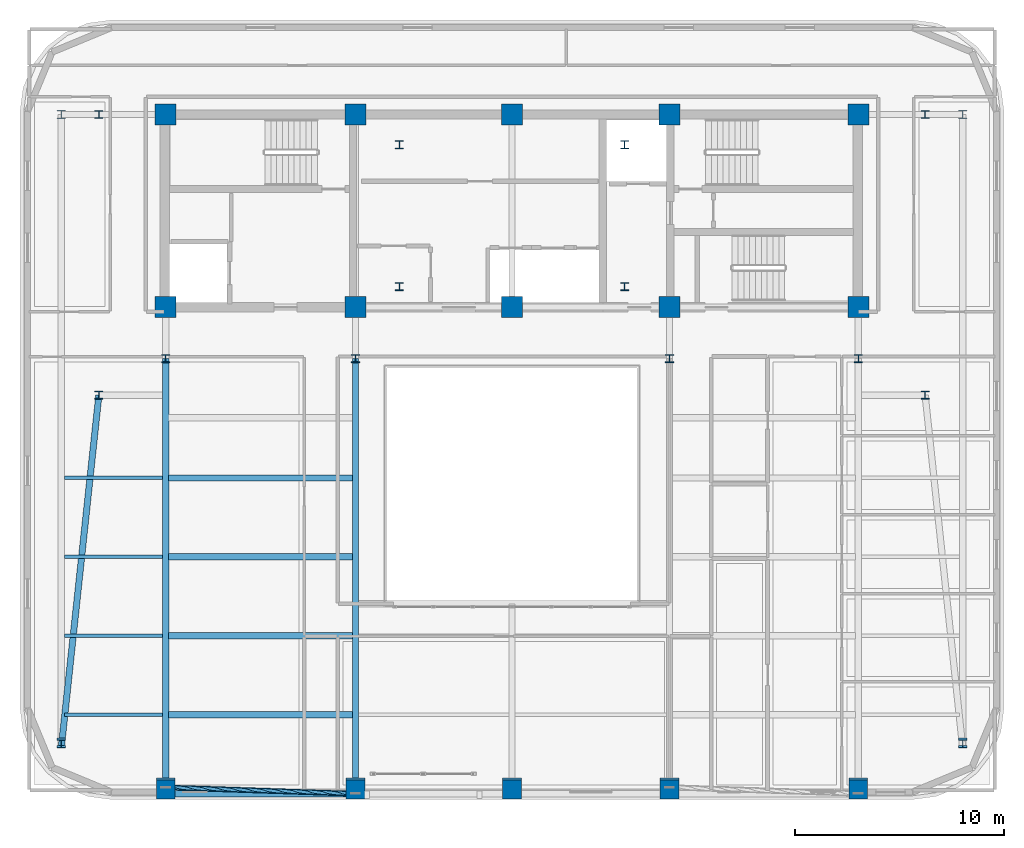
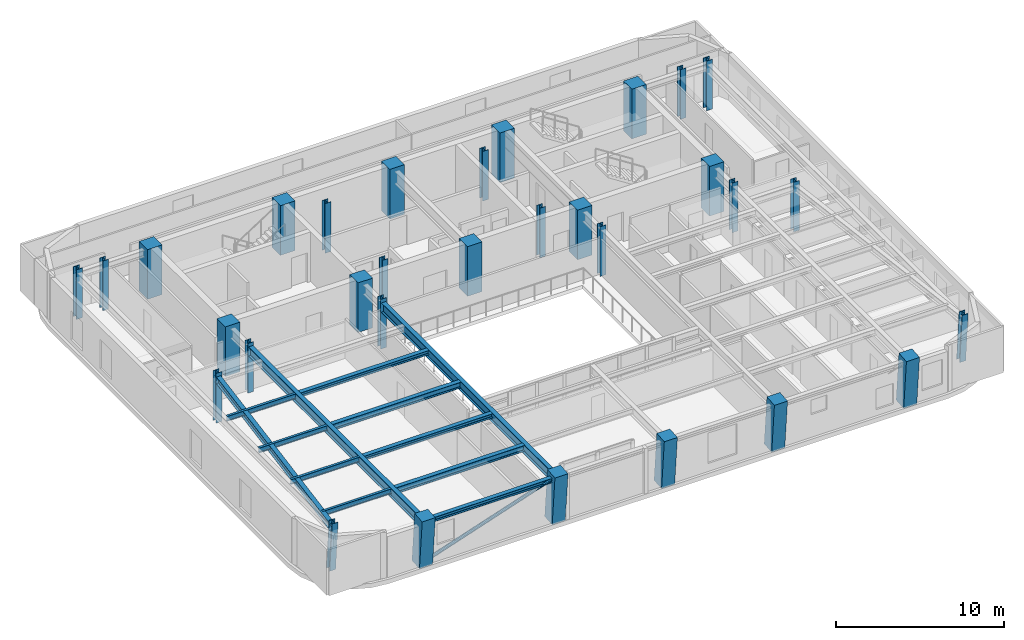
# One storey, part 1 of 13: 31 columns, 12 beams, 1 member.
"""IFC4 building model written with IfcOpenShell, lengths in metres."""

from ifc_helpers import new_model, si_unit, direction, frame, origin, origin_2d, place, context, subcontext, project, spatial, rectangle, hollow_circle, i_section, extrude, material, material_profile, profile_set, type_object, element, save


model = new_model("IFC4")

# Units and contexts
model_context = context("Model", 3, precision=1e-05, world=origin(), true_north=direction((0.0, 1.0)))
body_context = subcontext(model_context, "Body", "Model", "MODEL_VIEW")
ifc_project = project(units=[si_unit("LENGTHUNIT", "METRE"), si_unit("AREAUNIT", "SQUARE_METRE"), si_unit("VOLUMEUNIT", "CUBIC_METRE"), si_unit("PLANEANGLEUNIT", "RADIAN"), si_unit("MASSUNIT", "GRAM", prefix="KILO")], contexts=[model_context])

# Site, building, storey
site_placement = place(None, origin())
site = spatial("IfcSite", under=ifc_project, at=site_placement, CompositionType="ELEMENT")
building_placement = place(site_placement, origin())
building = spatial("IfcBuilding", under=site, at=building_placement, Name="Zarnavel Station Tower", CompositionType="ELEMENT")
storey_placement = place(building_placement, frame((0.0, 0.0, 236.39990234375)))
storey = spatial("IfcBuildingStorey", under=building, at=storey_placement, Name="L64", CompositionType="ELEMENT", Elevation=236.39990234375)

# Columns
ifc_material_1 = material(Name="Steel S355J2", Category="steel")
ifc_material_profile_1 = material_profile(ifc_material_1, i_section(OverallWidth=0.407958984375, OverallDepth=0.39990234375, WebThickness=0.02490234375, FlangeThickness=0.0390625, FilletRadius=0.014892578125, at=origin_2d()), Name="HD400x287")
ifc_profile_set_1 = profile_set([ifc_material_profile_1], Name="Steel S355J2")
column_type_1 = type_object("IfcColumnType", Name="EC_HD287", PredefinedType="COLUMN", material=ifc_profile_set_1)
column_1_placement = place(storey_placement, frame((7.199951171875, 6.97705078125, 0.0), z_axis=(0.0, -0.079901051777, 0.996802799918), x_axis=(1.0, 0.0, 0.0)))
element("IfcColumn", 1, at=column_1_placement, inside=storey, type_object=column_type_1, Name="L64 Raked Wing Column 1", PredefinedType="COLUMN", context=body_context, shape_type="SweptSolid", body=[
    extrude(i_section(OverallWidth=0.407958984375, OverallDepth=0.39990234375, WebThickness=0.02490234375, FlangeThickness=0.0390625, FilletRadius=0.014892578125, at=origin_2d()), origin(), (0.0, 0.0, 1.0), 3.611572265625),
])
column_2_placement = place(storey_placement, frame((7.199951171875, 37.050048828125, 0.0), z_axis=(0.0, 0.0, 1.0), x_axis=(1.0, 0.0, 0.0)))
element("IfcColumn", 2, at=column_2_placement, inside=storey, type_object=column_type_1, Name="L64 Outer Wing North Column 1", PredefinedType="COLUMN", context=body_context, shape_type="SweptSolid", body=[
    extrude(i_section(OverallWidth=0.407958984375, OverallDepth=0.39990234375, WebThickness=0.02490234375, FlangeThickness=0.0390625, FilletRadius=0.014892578125, at=origin_2d()), origin(), (0.0, 0.0, 1.0), 3.60009765625),
])
column_3_placement = place(storey_placement, frame((50.39990234375, 6.97705078125, 0.0), z_axis=(0.0, -0.079901051777, 0.996802799918), x_axis=(1.0, 0.0, 0.0)))
element("IfcColumn", 3, at=column_3_placement, inside=storey, type_object=column_type_1, Name="L64 Raked Wing Column 2", PredefinedType="COLUMN", context=body_context, shape_type="SweptSolid", body=[
    extrude(i_section(OverallWidth=0.407958984375, OverallDepth=0.39990234375, WebThickness=0.02490234375, FlangeThickness=0.0390625, FilletRadius=0.014892578125, at=origin_2d()), origin(), (0.0, 0.0, 1.0), 3.611572265625),
])
column_4_placement = place(storey_placement, frame((50.39990234375, 37.050048828125, 0.0), z_axis=(0.0, 0.0, 1.0), x_axis=(1.0, 0.0, 0.0)))
element("IfcColumn", 4, at=column_4_placement, inside=storey, type_object=column_type_1, Name="L64 Outer Wing North Column 2", PredefinedType="COLUMN", context=body_context, shape_type="SweptSolid", body=[
    extrude(i_section(OverallWidth=0.407958984375, OverallDepth=0.39990234375, WebThickness=0.02490234375, FlangeThickness=0.0390625, FilletRadius=0.014892578125, at=origin_2d()), origin(), (0.0, 0.0, 1.0), 3.60009765625),
])
ifc_material_2 = material(Name="Steel S355J2", Category="steel")
ifc_material_profile_2 = material_profile(ifc_material_2, i_section(OverallWidth=0.39501953125, OverallDepth=0.3798828125, WebThickness=0.018798828125, FlangeThickness=0.0302734375, FilletRadius=0.014892578125, at=origin_2d()), Name="HD400x237")
ifc_profile_set_2 = profile_set([ifc_material_profile_2], Name="Steel S355J2")
column_type_2 = type_object("IfcColumnType", Name="IC_HD237", PredefinedType="COLUMN", material=ifc_profile_set_2)
for number, where, z_axis, x_axis, name in (
    (5, (23.39990234375, 28.800048828125, 0.0), (0.0, 0.0, 1.0), (1.0, 0.0, 0.0), "L64 Mast Spine Column 1"),
    (6, (34.199951171875, 28.800048828125, 0.0), (0.0, 0.0, 1.0), (1.0, 0.0, 0.0), "L64 Mast Spine Column 2"),
    (7, (34.199951171875, 35.60009765625, 0.0), (0.0, 0.0, 1.0), (1.0, 0.0, 0.0), "L64 Mast Spine Column 3"),
    (8, (23.39990234375, 35.60009765625, 0.0), (0.0, 0.0, 1.0), (1.0, 0.0, 0.0), "L64 Mast Spine Column 4"),
    (9, (12.199951171875, 25.35009765625, 0.0), (0.0, 0.0, 1.0), (1.0, 0.0, 0.0), "L64 Inner Spine Column 1"),
    (10, (21.300048828125, 25.35009765625, 0.0), (0.0, 0.0, 1.0), (1.0, 0.0, 0.0), "L64 Inner Spine Column 2"),
    (11, (36.35009765625, 25.35009765625, 0.0), (0.0, 0.0, 1.0), (1.0, 0.0, 0.0), "L64 Inner Spine Column 4"),
    (12, (45.39990234375, 25.35009765625, 0.0), (0.0, 0.0, 1.0), (1.0, 0.0, 0.0), "L64 Inner Spine Column 5"),
    (13, (9.0, 23.60009765625, 0.0), (0.0, 0.0, 1.0), (1.0, 0.0, 0.0), "L64 Inner Wing Spine Column 1-1"),
    (14, (9.0, 37.050048828125, 0.0), (0.0, 0.0, 1.0), (1.0, 0.0, 0.0), "L64 Inner Wing Spine Column 1-2"),
    (15, (48.60009765625, 23.60009765625, 0.0), (0.0, 0.0, 1.0), (1.0, 0.0, 0.0), "L64 Inner Wing Spine Column 2-1"),
    (16, (48.60009765625, 37.050048828125, 0.0), (0.0, 0.0, 1.0), (1.0, 0.0, 0.0), "L64 Inner Wing Spine Column 2-2"),
):
    element("IfcColumn", number, at=place(storey_placement, frame(where, z_axis=z_axis, x_axis=x_axis)), inside=storey, type_object=column_type_2, Name=name, PredefinedType="COLUMN", context=body_context, shape_type="SweptSolid", body=[
        extrude(i_section(OverallWidth=0.39501953125, OverallDepth=0.3798828125, WebThickness=0.018798828125, FlangeThickness=0.0302734375, FilletRadius=0.014892578125, at=origin_2d()), origin(), (0.0, 0.0, 1.0), 3.60009765625),
    ])
ifc_material_3 = material(Name="Concrete C50/60", Category="concrete")
ifc_material_profile_3 = material_profile(ifc_material_3, rectangle(XDim=1.0, YDim=1.0, at=origin_2d()), Name="RC1000x1000")
ifc_profile_set_3 = profile_set([ifc_material_profile_3], Name="Concrete C50/60")
column_type_3 = type_object("IfcColumnType", Name="IC_RC1000", PredefinedType="COLUMN", material=ifc_profile_set_3)
for number, where, z_axis, x_axis, name in (
    (17, (12.199951171875, 27.820068359375, 0.0), (0.0, 0.0, 1.0), (1.0, 0.0, 0.0), "L64 Core Spine Column 1-1"),
    (18, (12.199951171875, 37.050048828125, 0.0), (0.0, 0.0, 1.0), (1.0, 0.0, 0.0), "L64 Core Spine Column 1-2"),
    (19, (21.300048828125, 27.820068359375, 0.0), (0.0, 0.0, 1.0), (1.0, 0.0, 0.0), "L64 Core Spine Column 2-1"),
    (20, (21.300048828125, 37.050048828125, 0.0), (0.0, 0.0, 1.0), (1.0, 0.0, 0.0), "L64 Core Spine Column 2-2"),
    (21, (28.800048828125, 27.820068359375, 0.0), (0.0, 0.0, 1.0), (1.0, 0.0, 0.0), "L64 Core Spine Column 3-1"),
    (22, (28.800048828125, 37.050048828125, 0.0), (0.0, 0.0, 1.0), (1.0, 0.0, 0.0), "L64 Core Spine Column 3-2"),
    (23, (36.35009765625, 27.820068359375, 0.0), (0.0, 0.0, 1.0), (1.0, 0.0, 0.0), "L64 Core Spine Column 4-1"),
    (24, (36.35009765625, 37.050048828125, 0.0), (0.0, 0.0, 1.0), (1.0, 0.0, 0.0), "L64 Core Spine Column 4-2"),
    (25, (45.39990234375, 27.820068359375, 0.0), (0.0, 0.0, 1.0), (1.0, 0.0, 0.0), "L64 Core Spine Column 5-1"),
    (26, (45.39990234375, 37.050048828125, 0.0), (0.0, 0.0, 1.0), (1.0, 0.0, 0.0), "L64 Core Spine Column 5-2"),
):
    element("IfcColumn", number, at=place(storey_placement, frame(where, z_axis=z_axis, x_axis=x_axis)), inside=storey, type_object=column_type_3, Name=name, PredefinedType="COLUMN", context=body_context, shape_type="SweptSolid", body=[
        extrude(rectangle(XDim=1.0, YDim=1.0, at=origin_2d()), origin(), (0.0, 0.0, 1.0), 3.60009765625),
    ])
ifc_material_4 = material(Name="Concrete C50/60", Category="concrete")
ifc_material_profile_4 = material_profile(ifc_material_4, rectangle(XDim=0.89990234375, YDim=0.89990234375, at=origin_2d()), Name="RC900x900")
ifc_profile_set_4 = profile_set([ifc_material_profile_4], Name="Concrete C50/60")
column_type_4 = type_object("IfcColumnType", Name="MC_RC900", PredefinedType="COLUMN", material=ifc_profile_set_4)
for number, where, z_axis, x_axis, name in (
    (27, (12.199951171875, 4.805419921875, 0.0), (0.0, -0.090231265542, 0.995920839584), (1.0, 0.0, 0.0), "L64 Raked South Mega-Column 1"),
    (28, (21.300048828125, 4.805419921875, 0.0), (0.0, -0.090231265542, 0.995920839584), (1.0, 0.0, 0.0), "L64 Raked South Mega-Column 2"),
    (29, (28.800048828125, 4.805419921875, 0.0), (0.0, -0.090231265542, 0.995920839584), (1.0, 0.0, 0.0), "L64 Raked South Mega-Column 3"),
    (30, (36.35009765625, 4.805419921875, 0.0), (0.0, -0.090231265542, 0.995920839584), (1.0, 0.0, 0.0), "L64 Raked South Mega-Column 4"),
    (31, (45.39990234375, 4.805419921875, 0.0), (0.0, -0.090231265542, 0.995920839584), (1.0, 0.0, 0.0), "L64 Raked South Mega-Column 5"),
):
    element("IfcColumn", number, at=place(storey_placement, frame(where, z_axis=z_axis, x_axis=x_axis)), inside=storey, type_object=column_type_4, Name=name, PredefinedType="COLUMN", context=body_context, shape_type="SweptSolid", body=[
        extrude(rectangle(XDim=0.89990234375, YDim=0.89990234375, at=origin_2d()), origin(), (0.0, 0.0, 1.0), 3.61474609375),
    ])

# Member
ifc_material_5 = material(Name="Steel S355J2", Category="steel")
ifc_material_profile_5 = material_profile(ifc_material_5, hollow_circle(Radius=0.122314453125, WallThickness=0.010009765625, at=origin_2d()), Name="CHS244.5x10")
ifc_profile_set_5 = profile_set([ifc_material_profile_5], Name="Steel S355J2")
member_type = type_object("IfcMemberType", Name="DB_EXT_CHS245", PredefinedType="BRACE", material=ifc_profile_set_5)
member_placement = place(storey_placement, frame((12.199951171875, 4.805419921875, 0.0), z_axis=(0.938305928034, -0.03121477037, 0.344394575346), x_axis=(0.033248763554, 0.999447107016, 0.0)))
element("IfcMember", 32, at=member_placement, inside=storey, type_object=member_type, Name="L64 Persian Exterior Diagonal Frame Brace 1", PredefinedType="BRACE", context=body_context, shape_type="SweptSolid", body=[
    extrude(hollow_circle(Radius=0.122314453125, WallThickness=0.010009765625, at=origin_2d()), origin(), (0.0, 0.0, 1.0), 9.698486328125),
])

# Beams
ifc_material_6 = material(Name="Steel S355J2", Category="steel")
ifc_material_profile_6 = material_profile(ifc_material_6, i_section(OverallWidth=0.300048828125, OverallDepth=0.320068359375, WebThickness=0.011474609375, FlangeThickness=0.0205078125, FilletRadius=0.027099609375, at=origin_2d()), Name="HEB320")
ifc_profile_set_6 = profile_set([ifc_material_profile_6], Name="Steel S355J2")
beam_type_1 = type_object("IfcBeamType", Name="EB_HEB320", PredefinedType="SPANDREL", material=ifc_profile_set_6)
beam_1_placement = place(storey_placement, frame((12.199951171875, 4.502685546875, 3.18017578125), z_axis=(1.0, 0.0, 0.0), x_axis=(0.0, 1.0, 0.0)))
element("IfcBeam", 33, at=beam_1_placement, inside=storey, type_object=beam_type_1, Name="L64 South Raked Spandrel 1", PredefinedType="SPANDREL", context=body_context, shape_type="SweptSolid", body=[
    extrude(i_section(OverallWidth=0.300048828125, OverallDepth=0.320068359375, WebThickness=0.011474609375, FlangeThickness=0.0205078125, FilletRadius=0.027099609375, at=origin_2d()), origin(), (0.0, 0.0, 1.0), 9.10009765625),
])
ifc_material_7 = material(Name="Steel S355J2", Category="steel")
ifc_material_profile_7 = material_profile(ifc_material_7, i_section(OverallWidth=0.300048828125, OverallDepth=0.31005859375, WebThickness=0.009033203125, FlangeThickness=0.015380859375, FilletRadius=0.027099609375, at=origin_2d()), Name="HEA320")
ifc_profile_set_7 = profile_set([ifc_material_profile_7], Name="Steel S355J2")
beam_type_2 = type_object("IfcBeamType", Name="FB_HEA320", PredefinedType="BEAM", material=ifc_profile_set_7)
for number, where, z_axis, x_axis, name in (
    (34, (12.344970703125, 12.068603515625, 3.18505859375), (1.0, 0.0, 0.0), (0.0, 1.0, 0.0), "L64 West Bay Beam 2"),
    (35, (12.344970703125, 19.63427734375, 3.18505859375), (1.0, 0.0, 0.0), (0.0, 1.0, 0.0), "L64 West Bay Beam 4"),
):
    element("IfcBeam", number, at=place(storey_placement, frame(where, z_axis=z_axis, x_axis=x_axis)), inside=storey, type_object=beam_type_2, Name=name, PredefinedType="BEAM", context=body_context, shape_type="SweptSolid", body=[
        extrude(i_section(OverallWidth=0.300048828125, OverallDepth=0.31005859375, WebThickness=0.009033203125, FlangeThickness=0.015380859375, FilletRadius=0.027099609375, at=origin_2d()), origin(), (0.0, 0.0, 1.0), 8.81005859375),
    ])
ifc_material_8 = material(Name="Steel S355J2", Category="steel")
ifc_material_profile_8 = material_profile(ifc_material_8, i_section(OverallWidth=0.300048828125, OverallDepth=0.43994140625, WebThickness=0.011474609375, FlangeThickness=0.02099609375, FilletRadius=0.027099609375, at=origin_2d()), Name="HEA450")
ifc_profile_set_8 = profile_set([ifc_material_profile_8], Name="Steel S355J2")
beam_type_3 = type_object("IfcBeamType", Name="FB_HEA450", PredefinedType="BEAM", material=ifc_profile_set_8)
for number, where, z_axis, x_axis, name in (
    (36, (12.344970703125, 8.28564453125, 3.1201171875), (1.0, 0.0, 0.0), (0.0, 1.0, 0.0), "L64 West Bay Beam 1"),
    (37, (12.344970703125, 15.851318359375, 3.1201171875), (1.0, 0.0, 0.0), (0.0, 1.0, 0.0), "L64 West Bay Beam 3"),
):
    element("IfcBeam", number, at=place(storey_placement, frame(where, z_axis=z_axis, x_axis=x_axis)), inside=storey, type_object=beam_type_3, Name=name, PredefinedType="BEAM", context=body_context, shape_type="SweptSolid", body=[
        extrude(i_section(OverallWidth=0.300048828125, OverallDepth=0.43994140625, WebThickness=0.011474609375, FlangeThickness=0.02099609375, FilletRadius=0.027099609375, at=origin_2d()), origin(), (0.0, 0.0, 1.0), 8.81005859375),
    ])
ifc_material_9 = material(Name="Steel S355J2", Category="steel")
ifc_material_profile_9 = material_profile(ifc_material_9, i_section(OverallWidth=0.300048828125, OverallDepth=0.5, WebThickness=0.014404296875, FlangeThickness=0.028076171875, FilletRadius=0.027099609375, at=origin_2d()), Name="HEB500")
ifc_profile_set_9 = profile_set([ifc_material_profile_9], Name="Steel S355J2")
beam_type_4 = type_object("IfcBeamType", Name="FG_HEB500", PredefinedType="USERDEFINED", material=ifc_profile_set_9)
beam_2_placement = place(storey_placement, frame((7.199951171875, 6.70947265625, 3.090087890625), z_axis=(0.105970808496, 0.994369241151, 0.0), x_axis=(-0.994369241151, 0.105970808496, 0.0)))
element("IfcBeam", 38, at=beam_2_placement, inside=storey, type_object=beam_type_4, Name="L64 West Wing South Tie 1", ObjectType="GIRDER", PredefinedType="USERDEFINED", context=body_context, shape_type="SweptSolid", body=[
    extrude(i_section(OverallWidth=0.300048828125, OverallDepth=0.5, WebThickness=0.014404296875, FlangeThickness=0.028076171875, FilletRadius=0.027099609375, at=origin_2d()), origin(), (0.0, 0.0, 1.0), 16.986328125),
])
ifc_material_10 = material(Name="Steel S355J2", Category="steel")
ifc_material_profile_10 = material_profile(ifc_material_10, i_section(OverallWidth=0.300048828125, OverallDepth=0.699951171875, WebThickness=0.01708984375, FlangeThickness=0.031982421875, FilletRadius=0.027099609375, at=origin_2d()), Name="HEB700")
ifc_profile_set_10 = profile_set([ifc_material_profile_10], Name="Steel S355J2")
beam_type_5 = type_object("IfcBeamType", Name="FG_HEB700", PredefinedType="USERDEFINED", material=ifc_profile_set_10)
for number, where, z_axis, x_axis, name in (
    (39, (12.199951171875, 4.502685546875, 2.989990234375), (0.0, 1.0, 0.0), (-1.0, 0.0, 0.0), "L64 South-Zone NS Girder 1"),
    (40, (21.300048828125, 4.502685546875, 2.989990234375), (0.0, 1.0, 0.0), (-1.0, 0.0, 0.0), "L64 South-Zone NS Girder 2"),
):
    element("IfcBeam", number, at=place(storey_placement, frame(where, z_axis=z_axis, x_axis=x_axis)), inside=storey, type_object=beam_type_5, Name=name, ObjectType="GIRDER", PredefinedType="USERDEFINED", context=body_context, shape_type="SweptSolid", body=[
        extrude(i_section(OverallWidth=0.300048828125, OverallDepth=0.699951171875, WebThickness=0.01708984375, FlangeThickness=0.031982421875, FilletRadius=0.027099609375, at=origin_2d()), origin(), (0.0, 0.0, 1.0), 20.847412109375),
    ])
ifc_material_11 = material(Name="Steel S355J2", Category="steel")
ifc_material_profile_11 = material_profile(ifc_material_11, i_section(OverallWidth=0.169921875, OverallDepth=0.360107421875, WebThickness=0.008056640625, FlangeThickness=0.0126953125, FilletRadius=0.01806640625, at=origin_2d()), Name="IPE360")
ifc_profile_set_11 = profile_set([ifc_material_profile_11], Name="Steel S355J2")
beam_type_6 = type_object("IfcBeamType", Name="FJ_IPE360", PredefinedType="JOIST", material=ifc_profile_set_11)
for number, where, z_axis, x_axis, name in (
    (41, (7.344970703125, 8.28564453125, 3.16015625), (1.0, 0.0, 0.0), (0.0, 1.0, 0.0), "L64 West Wing Joist 1"),
    (42, (7.344970703125, 12.068603515625, 3.16015625), (1.0, 0.0, 0.0), (0.0, 1.0, 0.0), "L64 West Wing Joist 2"),
    (43, (7.344970703125, 15.851318359375, 3.16015625), (1.0, 0.0, 0.0), (0.0, 1.0, 0.0), "L64 West Wing Joist 3"),
    (44, (7.344970703125, 19.63427734375, 3.16015625), (1.0, 0.0, 0.0), (0.0, 1.0, 0.0), "L64 West Wing Joist 4"),
):
    element("IfcBeam", number, at=place(storey_placement, frame(where, z_axis=z_axis, x_axis=x_axis)), inside=storey, type_object=beam_type_6, Name=name, PredefinedType="JOIST", context=body_context, shape_type="SweptSolid", body=[
        extrude(i_section(OverallWidth=0.169921875, OverallDepth=0.360107421875, WebThickness=0.008056640625, FlangeThickness=0.0126953125, FilletRadius=0.01806640625, at=origin_2d()), origin(), (0.0, 0.0, 1.0), 4.7099609375),
    ])

save(model, "model.ifc")
